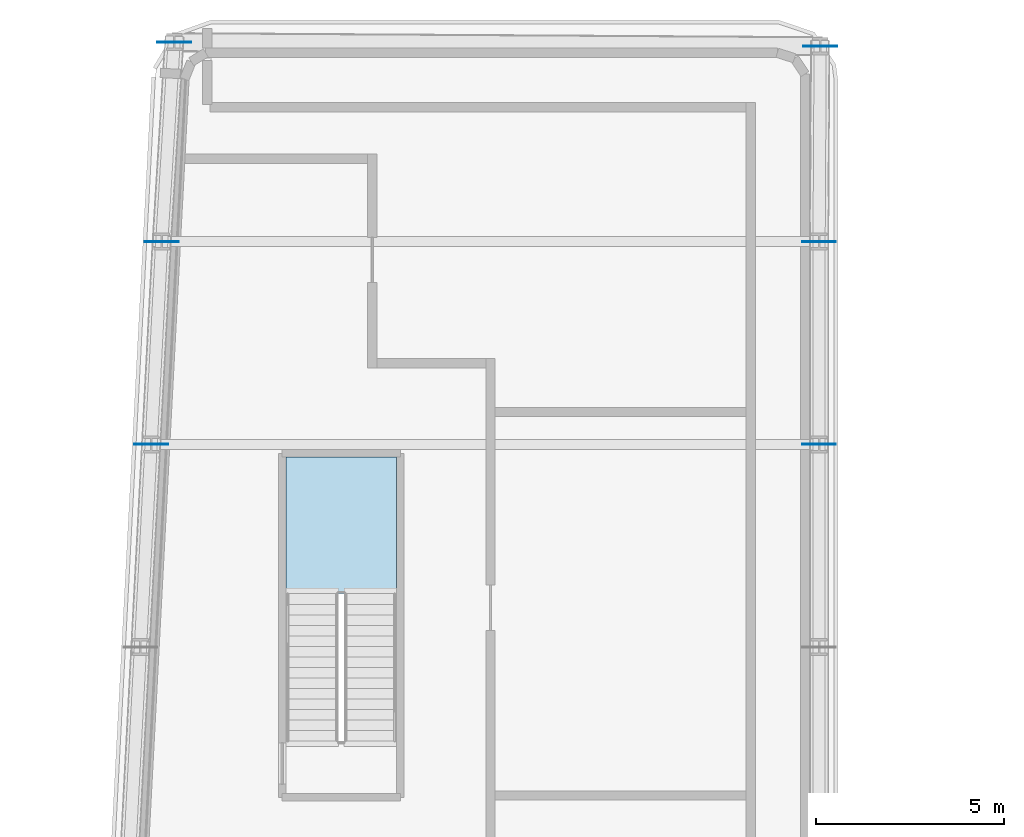
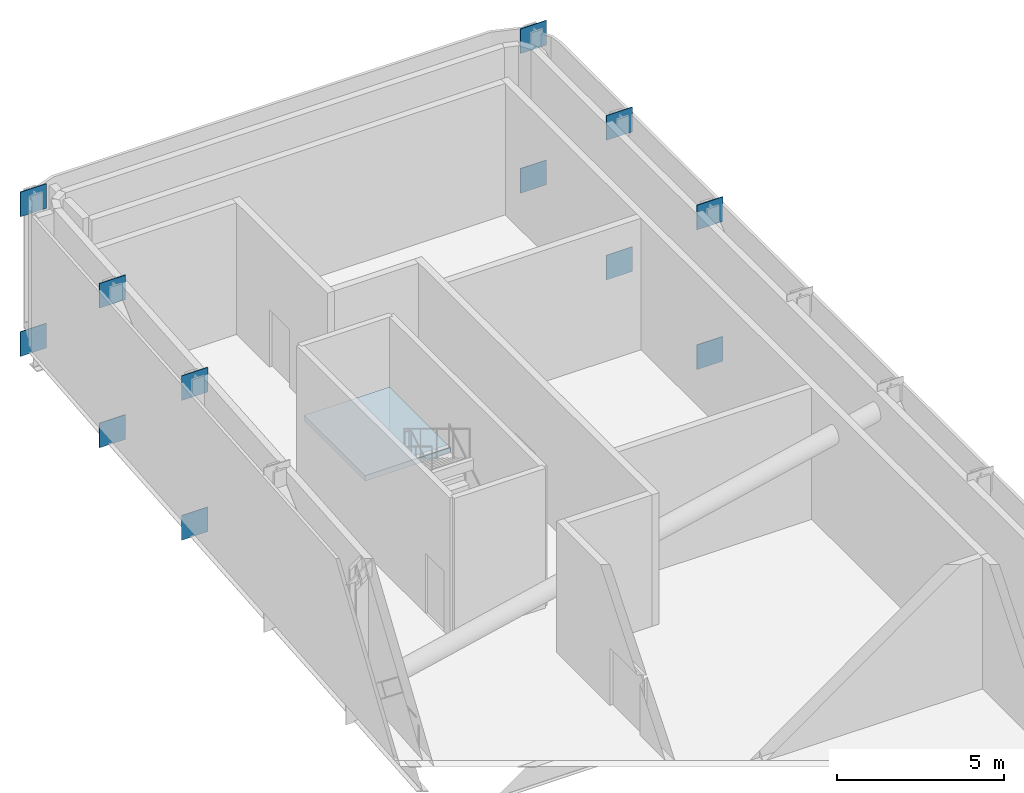
# One storey, part 16 of 30: 12 plates, 1 slab, 1 element without a shape of its own.
"""IFC4 building model written with IfcOpenShell, lengths in metres."""

from ifc_helpers import new_model, si_unit, direction, frame, origin, origin_2d, place, context, subcontext, project, spatial, polyline, rectangle, outline, extrude, material, layer, layer_set, type_object, element, aggregate, save


model = new_model("IFC4")

# Units and contexts
model_context = context("Model", 3, precision=1e-05, world=origin(), true_north=direction((0.0, 1.0)))
body_context = subcontext(model_context, "Body", "Model", "MODEL_VIEW")
ifc_project = project(units=[si_unit("LENGTHUNIT", "METRE"), si_unit("AREAUNIT", "SQUARE_METRE"), si_unit("VOLUMEUNIT", "CUBIC_METRE"), si_unit("PLANEANGLEUNIT", "RADIAN"), si_unit("MASSUNIT", "GRAM", prefix="KILO")], contexts=[model_context])

# Site, building, storey
site_placement = place(None, origin())
site = spatial("IfcSite", under=ifc_project, at=site_placement, CompositionType="ELEMENT")
building_placement = place(site_placement, origin())
building = spatial("IfcBuilding", under=site, at=building_placement, Name="Kheshtan School and Residences Tower", CompositionType="ELEMENT")
storey_placement = place(building_placement, frame((0.0, 0.0, 89.0)))
storey = spatial("IfcBuildingStorey", under=building, at=storey_placement, Name="L20", CompositionType="ELEMENT", Elevation=89.0)

# Plates
ifc_material_1 = material(Name="Steel ASTM A992 Grade 50", Category="steel")
ifc_layer_1 = layer(ifc_material_1, 0.02490234375)
ifc_layer_set_1 = layer_set([ifc_layer_1], Name="Gusset plate 25 Steel ASTM A992 Grade 50")
plate_type = type_object("IfcPlateType", Name="Gusset plate 25 Steel ASTM A992 Grade 50", PredefinedType="SHEET", material=ifc_layer_set_1)
for number, where, z_axis, x_axis, name in (
    (1, (30.424072265625, 99.510009765625, -0.800048828125), (0.0, 0.0, 1.0), (1.0, 0.0, 0.0), "Gusset plate 1"),
    (2, (47.6298828125, 99.402099609375, 4.300048828125), (0.0, 0.0, 1.0), (1.0, 0.0, 0.0), "Gusset plate 2"),
    (3, (47.6298828125, 99.402099609375, -0.800048828125), (0.0, 0.0, 1.0), (1.0, 0.0, 0.0), "Gusset plate 3"),
    (4, (47.60009765625, 94.199951171875, 4.300048828125), (0.0, 0.0, 1.0), (1.0, 0.0, 0.0), "Gusset plate 4"),
    (5, (47.60009765625, 94.199951171875, -0.800048828125), (0.0, 0.0, 1.0), (1.0, 0.0, 0.0), "Gusset plate 5"),
    (6, (47.60009765625, 88.800048828125, 4.300048828125), (0.0, 0.0, 1.0), (1.0, 0.0, 0.0), "Gusset plate 6"),
    (7, (47.60009765625, 88.800048828125, -0.800048828125), (0.0, 0.0, 1.0), (1.0, 0.0, 0.0), "Gusset plate 7"),
    (8, (29.81103515625, 88.800048828125, 4.300048828125), (0.0, 0.0, 1.0), (1.0, 0.0, 0.0), "Gusset plate 84"),
    (9, (29.81103515625, 88.800048828125, -0.800048828125), (0.0, 0.0, 1.0), (1.0, 0.0, 0.0), "Gusset plate 85"),
    (10, (30.094970703125, 94.199951171875, 4.300048828125), (0.0, 0.0, 1.0), (1.0, 0.0, 0.0), "Gusset plate 86"),
    (11, (30.094970703125, 94.199951171875, -0.800048828125), (0.0, 0.0, 1.0), (1.0, 0.0, 0.0), "Gusset plate 87"),
    (12, (30.424072265625, 99.510009765625, 4.300048828125), (0.0, 0.0, 1.0), (1.0, 0.0, 0.0), "Gusset plate 88"),
):
    element("IfcPlate", number, at=place(storey_placement, frame(where, z_axis=z_axis, x_axis=x_axis)), inside=storey, type_object=plate_type, Name=name, PredefinedType="SHEET", context=body_context, shape_type="SweptSolid", body=[
        extrude(rectangle(XDim=0.89990234375, YDim=0.02490234375, at=origin_2d()), origin(), (0.0, 0.0, 1.0), 0.89990234375),
    ])

# Stair, slab
ifc_material_2 = material(Name="Concrete C40/50", Category="concrete")
stair_type = type_object("IfcStairType", Name="Exit stair, half-turn", PredefinedType="HALF_TURN_STAIR", material=ifc_material_2)
stair_placement = place(storey_placement, origin())
stair = element("IfcStair", 13, at=stair_placement, inside=storey, type_object=stair_type, Name="L20 Protected Exit Stair ST3", PredefinedType="HALF_TURN_STAIR")
ifc_layer_2 = layer(ifc_material_2, 0.199951171875)
ifc_layer_set_2 = layer_set([ifc_layer_2], Name="Stair landing 200 Concrete C40/50")
slab_type = type_object("IfcSlabType", Name="Stair landing 200 Concrete C40/50", PredefinedType="LANDING", material=ifc_layer_set_2)
slab_placement = place(storey_placement, frame((0.0, 0.0, 2.35009765625)))
slab = element("IfcSlab", 14, at=slab_placement, type_object=slab_type, Name="ST3 landing 1", PredefinedType="LANDING", context=body_context, shape_type="SweptSolid", body=[
    extrude(outline(polyline([(36.35009765625, 84.820068359375), (36.35009765625, 88.4599609375), (33.39990234375, 88.4599609375), (33.39990234375, 84.820068359375), (36.35009765625, 84.820068359375)])), origin(), (0.0, 0.0, 1.0), 0.199951171875),
])
aggregate(stair, [slab])

save(model, "model.ifc")
